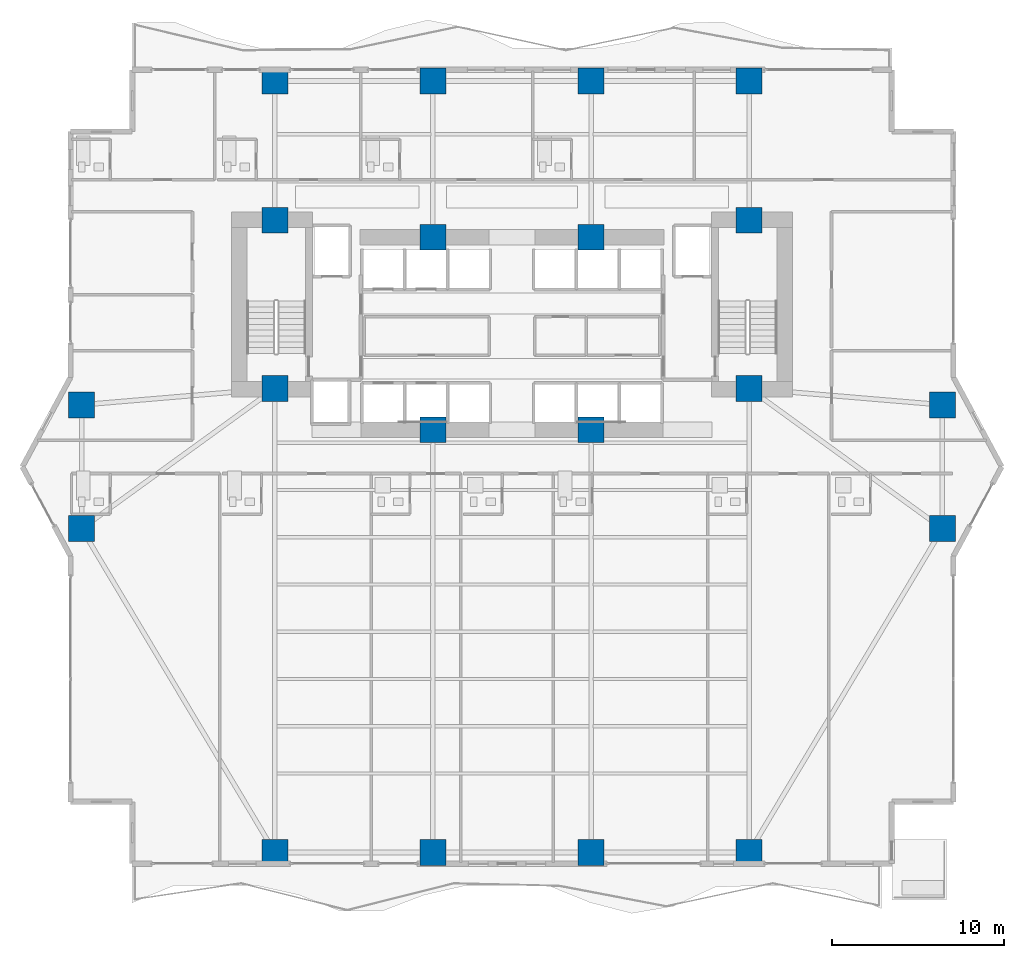
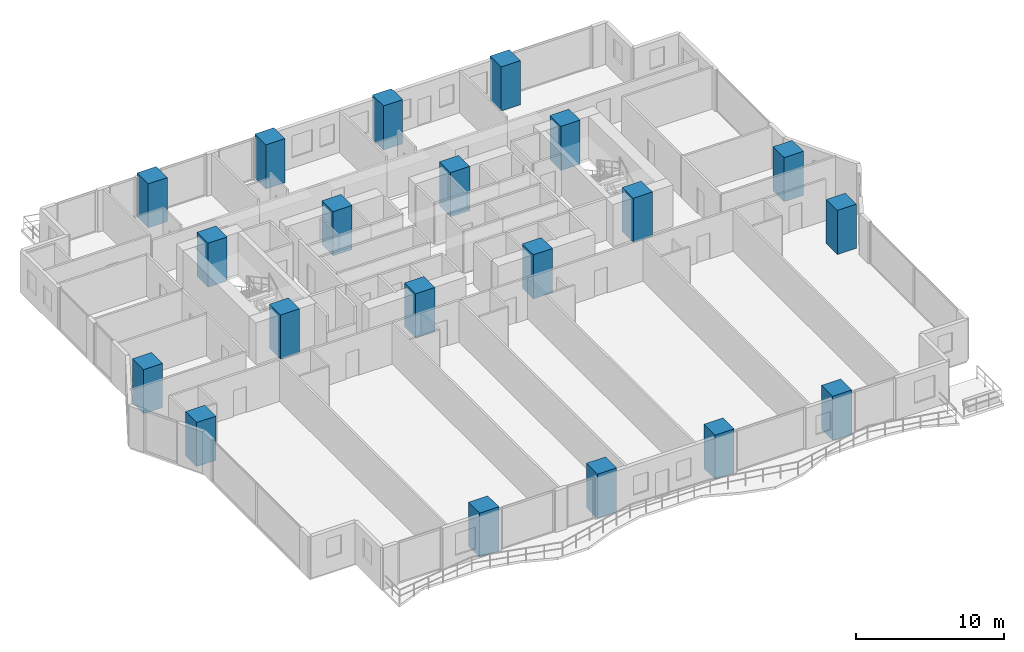
# One storey, part 1 of 29: 20 columns.
"""IFC4 building model written with IfcOpenShell, lengths in metres."""

from ifc_helpers import new_model, si_unit, direction, frame, origin, origin_2d, place, context, subcontext, project, spatial, rectangle, extrude, material, material_profile, profile_set, type_object, element, save


model = new_model("IFC4")

# Units and contexts
model_context = context("Model", 3, precision=1e-05, world=origin(), true_north=direction((0.0, 1.0)))
body_context = subcontext(model_context, "Body", "Model", "MODEL_VIEW")
ifc_project = project(units=[si_unit("LENGTHUNIT", "METRE"), si_unit("AREAUNIT", "SQUARE_METRE"), si_unit("VOLUMEUNIT", "CUBIC_METRE"), si_unit("PLANEANGLEUNIT", "RADIAN"), si_unit("MASSUNIT", "GRAM", prefix="KILO")], contexts=[model_context])

# Site, building, storey
site_placement = place(None, origin())
site = spatial("IfcSite", under=ifc_project, at=site_placement, CompositionType="ELEMENT")
building_placement = place(site_placement, origin())
building = spatial("IfcBuilding", under=site, at=building_placement, Name="Zuhayl Quay Hotel", CompositionType="ELEMENT")
storey_placement = place(building_placement, frame((0.0, 0.0, 45.85009765625)))
storey = spatial("IfcBuildingStorey", under=building, at=storey_placement, Name="L10", CompositionType="ELEMENT", Elevation=45.85009765625)

# Columns
ifc_material = material(Name="Concrete C70/85", Category="concrete")
ifc_material_profile_1 = material_profile(ifc_material, rectangle(XDim=1.5, YDim=1.5, at=origin_2d()), Name="RC1500X1500")
ifc_profile_set_1 = profile_set([ifc_material_profile_1], Name="Concrete C70/85")
column_type_1 = type_object("IfcColumnType", Name="CL_CC1_1500", PredefinedType="COLUMN", material=ifc_profile_set_1)
for number, where, z_axis, x_axis, name in (
    (1, (-13.800048828125, 14.35009765625, 0.0), (0.0, 0.0, 1.0), (1.0, 0.0, 0.0), "L10 Core Column CC_NW"),
    (2, (-4.60009765625, 13.35009765625, 0.0), (0.0, 0.0, 1.0), (1.0, 0.0, 0.0), "L10 Core Column CC_CNW"),
    (3, (4.60009765625, 13.35009765625, 0.0), (0.0, 0.0, 1.0), (1.0, 0.0, 0.0), "L10 Core Column CC_CNE"),
    (4, (13.800048828125, 14.35009765625, 0.0), (0.0, 0.0, 1.0), (1.0, 0.0, 0.0), "L10 Core Column CC_NE"),
    (5, (-13.800048828125, 4.550048828125, 0.0), (0.0, 0.0, 1.0), (1.0, 0.0, 0.0), "L10 Core Column CC_SW"),
    (6, (-4.60009765625, 2.14990234375, 0.0), (0.0, 0.0, 1.0), (1.0, 0.0, 0.0), "L10 Core Column CC_CSW"),
    (7, (4.60009765625, 2.14990234375, 0.0), (0.0, 0.0, 1.0), (1.0, 0.0, 0.0), "L10 Core Column CC_CSE"),
    (8, (13.800048828125, 4.550048828125, 0.0), (0.0, 0.0, 1.0), (1.0, 0.0, 0.0), "L10 Core Column CC_SE"),
):
    element("IfcColumn", number, at=place(storey_placement, frame(where, z_axis=z_axis, x_axis=x_axis)), inside=storey, type_object=column_type_1, Name=name, PredefinedType="COLUMN", context=body_context, shape_type="SweptSolid", body=[
        extrude(rectangle(XDim=1.5, YDim=1.5, at=origin_2d()), origin(), (0.0, 0.0, 1.0), 3.64990234375),
    ])
ifc_material_profile_2 = material_profile(ifc_material, rectangle(XDim=1.5, YDim=1.5, at=origin_2d()), Name="RC1500X1500")
ifc_profile_set_2 = profile_set([ifc_material_profile_2], Name="Concrete C70/85")
column_type_2 = type_object("IfcColumnType", Name="CL_MC1_1500", PredefinedType="COLUMN", material=ifc_profile_set_2)
for number, where, z_axis, x_axis, name in (
    (9, (-13.800048828125, -22.449951171875, 0.0), (0.0, 0.0, 1.0), (1.0, 0.0, 0.0), "L10 Mega-Column MC_S1"),
    (10, (-4.60009765625, -22.449951171875, 0.0), (0.0, 0.0, 1.0), (1.0, 0.0, 0.0), "L10 Mega-Column MC_S2"),
    (11, (4.60009765625, -22.449951171875, 0.0), (0.0, 0.0, 1.0), (1.0, 0.0, 0.0), "L10 Mega-Column MC_S3"),
    (12, (13.800048828125, -22.449951171875, 0.0), (0.0, 0.0, 1.0), (1.0, 0.0, 0.0), "L10 Mega-Column MC_S4"),
    (13, (-13.800048828125, 22.449951171875, 0.0), (0.0, 0.0, 1.0), (1.0, 0.0, 0.0), "L10 Mega-Column MC_N1"),
    (14, (-4.60009765625, 22.449951171875, 0.0), (0.0, 0.0, 1.0), (1.0, 0.0, 0.0), "L10 Mega-Column MC_N2"),
    (15, (4.60009765625, 22.449951171875, 0.0), (0.0, 0.0, 1.0), (1.0, 0.0, 0.0), "L10 Mega-Column MC_N3"),
    (16, (13.800048828125, 22.449951171875, 0.0), (0.0, 0.0, 1.0), (1.0, 0.0, 0.0), "L10 Mega-Column MC_N4"),
    (17, (-25.050048828125, -3.60009765625, 0.0), (0.0, 0.0, 1.0), (1.0, 0.0, 0.0), "L10 Mega-Column MC_W1"),
    (18, (-25.050048828125, 3.60009765625, 0.0), (0.0, 0.0, 1.0), (1.0, 0.0, 0.0), "L10 Mega-Column MC_W2"),
    (19, (25.050048828125, -3.60009765625, 0.0), (0.0, 0.0, 1.0), (1.0, 0.0, 0.0), "L10 Mega-Column MC_E1"),
    (20, (25.050048828125, 3.60009765625, 0.0), (0.0, 0.0, 1.0), (1.0, 0.0, 0.0), "L10 Mega-Column MC_E2"),
):
    element("IfcColumn", number, at=place(storey_placement, frame(where, z_axis=z_axis, x_axis=x_axis)), inside=storey, type_object=column_type_2, Name=name, PredefinedType="COLUMN", context=body_context, shape_type="SweptSolid", body=[
        extrude(rectangle(XDim=1.5, YDim=1.5, at=origin_2d()), origin(), (0.0, 0.0, 1.0), 3.64990234375),
    ])

save(model, "model.ifc")
